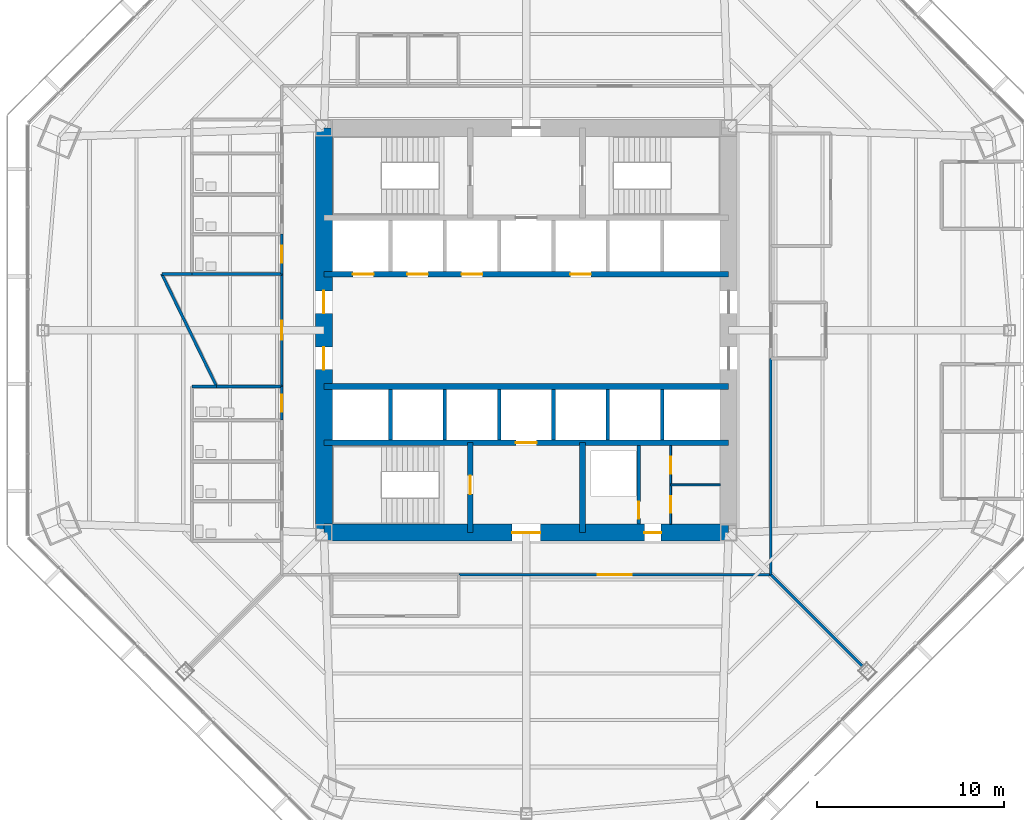
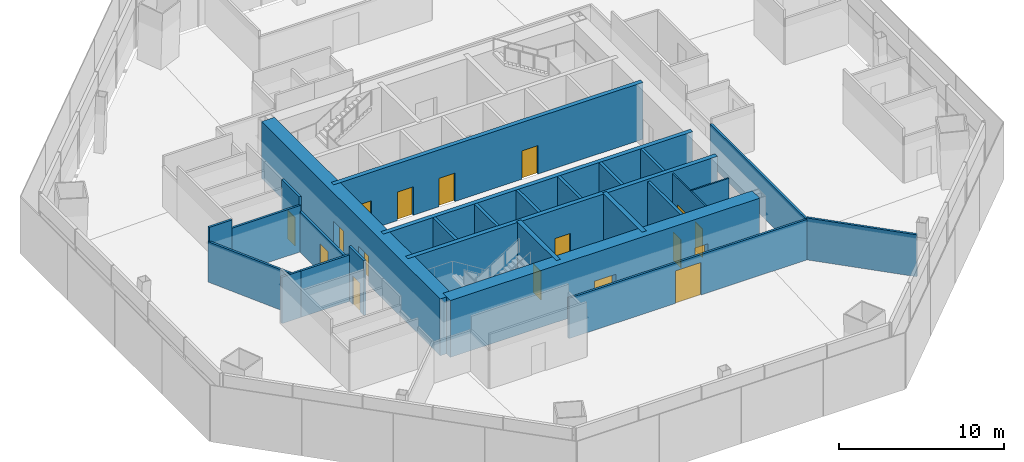
# One storey, part 8 of 13: 27 walls, 17 doors, 17 openings.
"""IFC4 building model written with IfcOpenShell, lengths in metres."""

from ifc_helpers import new_model, si_unit, direction, frame, frame_2d, origin, place, context, subcontext, project, spatial, rectangle, extrude, material, layer, layer_set, type_object, element, fill, save


model = new_model("IFC4")

# Units and contexts
model_context = context("Model", 3, precision=1e-05, world=origin(), true_north=direction((0.0, 1.0)))
body_context = subcontext(model_context, "Body", "Model", "MODEL_VIEW")
ifc_project = project(units=[si_unit("LENGTHUNIT", "METRE"), si_unit("AREAUNIT", "SQUARE_METRE"), si_unit("VOLUMEUNIT", "CUBIC_METRE"), si_unit("PLANEANGLEUNIT", "RADIAN"), si_unit("MASSUNIT", "GRAM", prefix="KILO")], contexts=[model_context])

# Site, building, storey
site_placement = place(None, origin())
site = spatial("IfcSite", under=ifc_project, at=site_placement, CompositionType="ELEMENT")
building_placement = place(site_placement, origin())
building = spatial("IfcBuilding", under=site, at=building_placement, Name="Mashrafa Tower", CompositionType="ELEMENT")
storey_placement = place(building_placement, frame((0.0, 0.0, 49.800048828125)))
storey = spatial("IfcBuildingStorey", under=building, at=storey_placement, Name="L10", CompositionType="ELEMENT", Elevation=49.800048828125)

# Wall, opening, door
ifc_material_1 = material(Name="Concrete masonry unit", Category="masonry")
ifc_layer_1 = layer(ifc_material_1, 0.199951171875)
ifc_layer_set_1 = layer_set([ifc_layer_1], Name="Blockwork wall 200 2 hr")
wall_type_1 = type_object("IfcWallType", Name="Blockwork wall 200 2 hr", PredefinedType="PARTITIONING", material=ifc_layer_set_1)
wall_1_placement = place(storey_placement, frame((6.0, -10.35009765625, 0.0), z_axis=(0.0, 0.0, 1.0), x_axis=(0.0, 1.0, 0.0)))
wall_1 = element("IfcWall", 1, at=wall_1_placement, inside=storey, type_object=wall_type_1, Name="Riser enclosure wall L10", PredefinedType="PARTITIONING", context=body_context, shape_type="SweptSolid", body=[
    extrude(rectangle(XDim=4.2001953125, YDim=0.199951171875, at=frame_2d((2.10009765625, 0.0))), origin(), (0.0, 0.0, 1.0), 4.034912109375),
])
opening_1_placement = place(wall_1_placement, frame((0.300048828125, 0.0, 0.0)))
opening_1 = element("IfcOpeningElement", 2, at=opening_1_placement, cuts=wall_1, Name="Opening 10.032", PredefinedType="OPENING", context=body_context, shape_type="SweptSolid", body=[
    extrude(rectangle(XDim=0.89990234375, YDim=2.10009765625, at=frame_2d((0.449951171875, 1.050048828125))), frame((0.0, 0.10986328125, 0.0), z_axis=(0.0, -1.0, 0.0), x_axis=(1.0, 0.0, 0.0)), (0.0, 0.0, 1.0), 0.219970703125),
])
ifc_material_2 = material(Name="Steel door", Category="steel")
door_type_1 = type_object("IfcDoorType", Name="Service door 900 x 2100 90 min", OperationType="USERDEFINED", PredefinedType="DOOR", material=ifc_material_2)
door_1_placement = place(opening_1_placement, origin())
door_1 = element("IfcDoor", 3, at=door_1_placement, inside=storey, type_object=door_type_1, Name="Riser door L10", OperationType="SINGLE_SWING_LEFT", OverallHeight=2.10009765625, OverallWidth=0.89990234375, PredefinedType="DOOR", context=body_context, shape_type="SweptSolid", body=[
    extrude(rectangle(XDim=0.89990234375, YDim=2.10009765625, at=frame_2d((0.449951171875, 1.050048828125))), frame((0.0, 0.02490234375, 0.0), z_axis=(0.0, -1.0, 0.0), x_axis=(1.0, 0.0, 0.0)), (0.0, 0.0, 1.0), 0.050048828125),
])
fill(opening_1, door_1)

# Wall, openings, doors
ifc_material_3 = material(Name="Concrete C60/75", Category="concrete")
ifc_layer_2 = layer(ifc_material_3, 0.300048828125)
ifc_layer_set_2 = layer_set([ifc_layer_2], Name="Core wall 300 C60/75")
wall_type_2 = type_object("IfcWallType", Name="Core wall 300 C60/75", PredefinedType="SOLIDWALL", material=ifc_layer_set_2)
wall_2_placement = place(storey_placement, frame((-10.800048828125, 3.0, 0.0), z_axis=(0.0, 0.0, 1.0), x_axis=(1.0, 0.0, 0.0)))
wall_2 = element("IfcWall", 4, at=wall_2_placement, inside=storey, type_object=wall_type_2, Name="Core wall CH-N L10", PredefinedType="SOLIDWALL", context=body_context, shape_type="SweptSolid", body=[
    extrude(rectangle(XDim=21.60009765625, YDim=0.300048828125, at=frame_2d((10.800048828125, 0.0))), origin(), (0.0, 0.0, 1.0), 4.199951171875),
])
opening_2_placement = place(wall_2_placement, frame((1.550048828125, 0.0, 0.0)))
opening_2 = element("IfcOpeningElement", 5, at=opening_2_placement, cuts=wall_2, Name="Opening 10.A1", PredefinedType="OPENING", context=body_context, shape_type="SweptSolid", body=[
    extrude(rectangle(XDim=1.10009765625, YDim=2.10009765625, at=frame_2d((0.550048828125, 1.050048828125))), frame((0.0, 0.159912109375, 0.0), z_axis=(0.0, -1.0, 0.0), x_axis=(1.0, 0.0, 0.0)), (0.0, 0.0, 1.0), 0.320068359375),
])
opening_3_placement = place(wall_2_placement, frame((4.449951171875, 0.0, 0.0)))
opening_3 = element("IfcOpeningElement", 6, at=opening_3_placement, cuts=wall_2, Name="Opening 10.A2", PredefinedType="OPENING", context=body_context, shape_type="SweptSolid", body=[
    extrude(rectangle(XDim=1.10009765625, YDim=2.10009765625, at=frame_2d((0.550048828125, 1.050048828125))), frame((0.0, 0.159912109375, 0.0), z_axis=(0.0, -1.0, 0.0), x_axis=(1.0, 0.0, 0.0)), (0.0, 0.0, 1.0), 0.320068359375),
])
opening_4_placement = place(wall_2_placement, frame((7.35009765625, 0.0, 0.0)))
opening_4 = element("IfcOpeningElement", 7, at=opening_4_placement, cuts=wall_2, Name="Opening 10.A3", PredefinedType="OPENING", context=body_context, shape_type="SweptSolid", body=[
    extrude(rectangle(XDim=1.10009765625, YDim=2.10009765625, at=frame_2d((0.550048828125, 1.050048828125))), frame((0.0, 0.159912109375, 0.0), z_axis=(0.0, -1.0, 0.0), x_axis=(1.0, 0.0, 0.0)), (0.0, 0.0, 1.0), 0.320068359375),
])
opening_5_placement = place(wall_2_placement, frame((13.14990234375, 0.0, 0.0)))
opening_5 = element("IfcOpeningElement", 8, at=opening_5_placement, cuts=wall_2, Name="Opening 10.A4", PredefinedType="OPENING", context=body_context, shape_type="SweptSolid", body=[
    extrude(rectangle(XDim=1.10009765625, YDim=2.10009765625, at=frame_2d((0.550048828125, 1.050048828125))), frame((0.0, 0.159912109375, 0.0), z_axis=(0.0, -1.0, 0.0), x_axis=(1.0, 0.0, 0.0)), (0.0, 0.0, 1.0), 0.320068359375),
])
ifc_material_4 = material(Name="Steel door", Category="steel")
door_type_2 = type_object("IfcDoorType", Name="Lift landing door 1100 x 2100 90 min", OperationType="DOUBLE_DOOR_SLIDING", PredefinedType="DOOR", material=ifc_material_4)
door_2_placement = place(opening_2_placement, origin())
door_2 = element("IfcDoor", 9, at=door_2_placement, inside=storey, type_object=door_type_2, Name="Lift landing door A1 L10", OperationType="DOUBLE_DOOR_SLIDING", OverallHeight=2.10009765625, OverallWidth=1.10009765625, PredefinedType="DOOR", context=body_context, shape_type="SweptSolid", body=[
    extrude(rectangle(XDim=1.10009765625, YDim=2.10009765625, at=frame_2d((0.550048828125, 1.050048828125))), frame((0.0, 0.02490234375, 0.0), z_axis=(0.0, -1.0, 0.0), x_axis=(1.0, 0.0, 0.0)), (0.0, 0.0, 1.0), 0.050048828125),
])
fill(opening_2, door_2)
door_3_placement = place(opening_3_placement, origin())
door_3 = element("IfcDoor", 10, at=door_3_placement, inside=storey, type_object=door_type_2, Name="Lift landing door A2 L10", OperationType="DOUBLE_DOOR_SLIDING", OverallHeight=2.10009765625, OverallWidth=1.10009765625, PredefinedType="DOOR", context=body_context, shape_type="SweptSolid", body=[
    extrude(rectangle(XDim=1.10009765625, YDim=2.10009765625, at=frame_2d((0.550048828125, 1.050048828125))), frame((0.0, 0.02490234375, 0.0), z_axis=(0.0, -1.0, 0.0), x_axis=(1.0, 0.0, 0.0)), (0.0, 0.0, 1.0), 0.050048828125),
])
fill(opening_3, door_3)
door_4_placement = place(opening_4_placement, origin())
door_4 = element("IfcDoor", 11, at=door_4_placement, inside=storey, type_object=door_type_2, Name="Lift landing door A3 L10", OperationType="DOUBLE_DOOR_SLIDING", OverallHeight=2.10009765625, OverallWidth=1.10009765625, PredefinedType="DOOR", context=body_context, shape_type="SweptSolid", body=[
    extrude(rectangle(XDim=1.10009765625, YDim=2.10009765625, at=frame_2d((0.550048828125, 1.050048828125))), frame((0.0, 0.02490234375, 0.0), z_axis=(0.0, -1.0, 0.0), x_axis=(1.0, 0.0, 0.0)), (0.0, 0.0, 1.0), 0.050048828125),
])
fill(opening_4, door_4)
door_5_placement = place(opening_5_placement, origin())
door_5 = element("IfcDoor", 12, at=door_5_placement, inside=storey, type_object=door_type_2, Name="Lift landing door A4 L10", OperationType="DOUBLE_DOOR_SLIDING", OverallHeight=2.10009765625, OverallWidth=1.10009765625, PredefinedType="DOOR", context=body_context, shape_type="SweptSolid", body=[
    extrude(rectangle(XDim=1.10009765625, YDim=2.10009765625, at=frame_2d((0.550048828125, 1.050048828125))), frame((0.0, 0.02490234375, 0.0), z_axis=(0.0, -1.0, 0.0), x_axis=(1.0, 0.0, 0.0)), (0.0, 0.0, 1.0), 0.050048828125),
])
fill(opening_5, door_5)

# Wall
wall_3_placement = place(storey_placement, frame((-10.800048828125, -3.0, 0.0), z_axis=(0.0, 0.0, 1.0), x_axis=(1.0, 0.0, 0.0)))
element("IfcWall", 13, at=wall_3_placement, inside=storey, type_object=wall_type_2, Name="Core wall CH-S L10", PredefinedType="SOLIDWALL", context=body_context, shape_type="SweptSolid", body=[
    extrude(rectangle(XDim=21.60009765625, YDim=0.300048828125, at=frame_2d((10.800048828125, 0.0))), origin(), (0.0, 0.0, 1.0), 4.199951171875),
])

# Wall, opening, door
wall_4_placement = place(storey_placement, frame((-10.800048828125, -6.0, 0.0), z_axis=(0.0, 0.0, 1.0), x_axis=(1.0, 0.0, 0.0)))
wall_4 = element("IfcWall", 14, at=wall_4_placement, inside=storey, type_object=wall_type_2, Name="Core wall CB-S L10", PredefinedType="SOLIDWALL", context=body_context, shape_type="SweptSolid", body=[
    extrude(rectangle(XDim=21.60009765625, YDim=0.300048828125, at=frame_2d((10.800048828125, 0.0))), origin(), (0.0, 0.0, 1.0), 4.199951171875),
])
opening_6_placement = place(wall_4_placement, frame((10.25, 0.0, 0.0)))
opening_6 = element("IfcOpeningElement", 15, at=opening_6_placement, cuts=wall_4, Name="Opening 10.F2", PredefinedType="OPENING", context=body_context, shape_type="SweptSolid", body=[
    extrude(rectangle(XDim=1.10009765625, YDim=2.10009765625, at=frame_2d((0.550048828125, 1.050048828125))), frame((0.0, 0.159912109375, 0.0), z_axis=(0.0, -1.0, 0.0), x_axis=(1.0, 0.0, 0.0)), (0.0, 0.0, 1.0), 0.320068359375),
])
door_6_placement = place(opening_6_placement, origin())
door_6 = element("IfcDoor", 16, at=door_6_placement, inside=storey, type_object=door_type_2, Name="Lift landing door F2 L10", OperationType="DOUBLE_DOOR_SLIDING", OverallHeight=2.10009765625, OverallWidth=1.10009765625, PredefinedType="DOOR", context=body_context, shape_type="SweptSolid", body=[
    extrude(rectangle(XDim=1.10009765625, YDim=2.10009765625, at=frame_2d((0.550048828125, 1.050048828125))), frame((0.0, 0.02490234375, 0.0), z_axis=(0.0, -1.0, 0.0), x_axis=(1.0, 0.0, 0.0)), (0.0, 0.0, 1.0), 0.050048828125),
])
fill(opening_6, door_6)

wall_5_placement = place(storey_placement, frame((-3.0, -6.0, 0.0), z_axis=(0.0, 0.0, 1.0), x_axis=(0.0, -1.0, 0.0)))
wall_5 = element("IfcWall", 17, at=wall_5_placement, inside=storey, type_object=wall_type_2, Name="Core wall CX-SW L10", PredefinedType="SOLIDWALL", context=body_context, shape_type="SweptSolid", body=[
    extrude(rectangle(XDim=4.800048828125, YDim=0.300048828125, at=frame_2d((2.39990234375, 0.0))), origin(), (0.0, 0.0, 1.0), 4.199951171875),
])
opening_7_placement = place(wall_5_placement, frame((1.75, 0.0, 0.0)))
opening_7 = element("IfcOpeningElement", 18, at=opening_7_placement, cuts=wall_5, Name="Opening 10.030", PredefinedType="OPENING", context=body_context, shape_type="SweptSolid", body=[
    extrude(rectangle(XDim=1.0, YDim=2.10009765625, at=frame_2d((0.5, 1.050048828125))), frame((0.0, 0.159912109375, 0.0), z_axis=(0.0, -1.0, 0.0), x_axis=(1.0, 0.0, 0.0)), (0.0, 0.0, 1.0), 0.320068359375),
])
ifc_material_5 = material(Name="Steel door", Category="steel")
door_type_3 = type_object("IfcDoorType", Name="Stair door 1000 x 2100 90 min", OperationType="USERDEFINED", PredefinedType="DOOR", material=ifc_material_5)
door_7_placement = place(opening_7_placement, frame((1.0, 0.0, 0.0), z_axis=(0.0, 0.0, 1.0), x_axis=(-1.0, 0.0, 0.0)))
door_7 = element("IfcDoor", 19, at=door_7_placement, inside=storey, type_object=door_type_3, Name="Stair S3 door L10", OperationType="SINGLE_SWING_RIGHT", OverallHeight=2.10009765625, OverallWidth=1.0, PredefinedType="DOOR", context=body_context, shape_type="SweptSolid", body=[
    extrude(rectangle(XDim=1.0, YDim=2.10009765625, at=frame_2d((0.5, 1.050048828125))), frame((0.0, 0.02490234375, 0.0), z_axis=(0.0, -1.0, 0.0), x_axis=(1.0, 0.0, 0.0)), (0.0, 0.0, 1.0), 0.050048828125),
])
fill(opening_7, door_7)

# Wall
wall_6_placement = place(storey_placement, frame((3.0, -6.0, 0.0), z_axis=(0.0, 0.0, 1.0), x_axis=(0.0, -1.0, 0.0)))
element("IfcWall", 20, at=wall_6_placement, inside=storey, type_object=wall_type_2, Name="Core wall CX-SE L10", PredefinedType="SOLIDWALL", context=body_context, shape_type="SweptSolid", body=[
    extrude(rectangle(XDim=4.800048828125, YDim=0.300048828125, at=frame_2d((2.39990234375, 0.0))), origin(), (0.0, 0.0, 1.0), 4.199951171875),
])

# Wall, openings, doors
ifc_material_6 = material(Name="Concrete C60/75", Category="concrete")
ifc_layer_3 = layer(ifc_material_6, 0.89990234375)
ifc_layer_set_3 = layer_set([ifc_layer_3], Name="Core wall 900 C60/75")
wall_type_3 = type_object("IfcWallType", Name="Core wall 900 C60/75", PredefinedType="SOLIDWALL", material=ifc_layer_set_3)
wall_7_placement = place(storey_placement, frame((-10.800048828125, -10.800048828125, 0.0), z_axis=(0.0, 0.0, 1.0), x_axis=(1.0, 0.0, 0.0)))
wall_7 = element("IfcWall", 21, at=wall_7_placement, inside=storey, type_object=wall_type_3, Name="Core wall CW-S L10", PredefinedType="SOLIDWALL", context=body_context, shape_type="SweptSolid", body=[
    extrude(rectangle(XDim=21.60009765625, YDim=0.89990234375, at=frame_2d((10.800048828125, 0.0))), origin(), (0.0, 0.0, 1.0), 4.199951171875),
])
opening_8_placement = place(wall_7_placement, frame((10.050048828125, 0.0, 0.0)))
opening_8 = element("IfcOpeningElement", 22, at=opening_8_placement, cuts=wall_7, Name="Opening 10.027", PredefinedType="OPENING", context=body_context, shape_type="SweptSolid", body=[
    extrude(rectangle(XDim=1.5, YDim=2.10009765625, at=frame_2d((0.75, 1.050048828125))), frame((0.0, 0.4599609375, 0.0), z_axis=(0.0, -1.0, 0.0), x_axis=(1.0, 0.0, 0.0)), (0.0, 0.0, 1.0), 0.919921875),
])
opening_9_placement = place(wall_7_placement, frame((17.10009765625, 0.0, 0.0)))
opening_9 = element("IfcOpeningElement", 23, at=opening_9_placement, cuts=wall_7, Name="Opening 10.031", PredefinedType="OPENING", context=body_context, shape_type="SweptSolid", body=[
    extrude(rectangle(XDim=0.89990234375, YDim=2.10009765625, at=frame_2d((0.449951171875, 1.050048828125))), frame((0.0, 0.4599609375, 0.0), z_axis=(0.0, -1.0, 0.0), x_axis=(1.0, 0.0, 0.0)), (0.0, 0.0, 1.0), 0.919921875),
])
ifc_material_7 = material(Name="Steel door", Category="steel")
door_type_4 = type_object("IfcDoorType", Name="Lobby door pair 1500 x 2100 90 min", OperationType="DOUBLE_DOOR_SINGLE_SWING", PredefinedType="DOOR", material=ifc_material_7)
door_8_placement = place(opening_8_placement, origin())
door_8 = element("IfcDoor", 24, at=door_8_placement, inside=storey, type_object=door_type_4, Name="Fire-fighting lobby F2 door L10", OperationType="DOUBLE_DOOR_SINGLE_SWING", OverallHeight=2.10009765625, OverallWidth=1.5, PredefinedType="DOOR", context=body_context, shape_type="SweptSolid", body=[
    extrude(rectangle(XDim=1.5, YDim=2.10009765625, at=frame_2d((0.75, 1.050048828125))), frame((0.0, 0.02490234375, 0.0), z_axis=(0.0, -1.0, 0.0), x_axis=(1.0, 0.0, 0.0)), (0.0, 0.0, 1.0), 0.050048828125),
])
fill(opening_8, door_8)
door_9_placement = place(opening_9_placement, frame((0.89990234375, 0.0, 0.0), z_axis=(0.0, 0.0, 1.0), x_axis=(-1.0, 0.0, 0.0)))
door_9 = element("IfcDoor", 25, at=door_9_placement, inside=storey, type_object=door_type_1, Name="Services Lobby L10 door", OperationType="SINGLE_SWING_LEFT", OverallHeight=2.10009765625, OverallWidth=0.89990234375, PredefinedType="DOOR", context=body_context, shape_type="SweptSolid", body=[
    extrude(rectangle(XDim=0.89990234375, YDim=2.10009765625, at=frame_2d((0.449951171875, 1.050048828125))), frame((0.0, 0.02490234375, 0.0), z_axis=(0.0, -1.0, 0.0), x_axis=(1.0, 0.0, 0.0)), (0.0, 0.0, 1.0), 0.050048828125),
])
fill(opening_9, door_9)

wall_8_placement = place(storey_placement, frame((-10.800048828125, 10.800048828125, 0.0), z_axis=(0.0, 0.0, 1.0), x_axis=(0.0, -1.0, 0.0)))
wall_8 = element("IfcWall", 26, at=wall_8_placement, inside=storey, type_object=wall_type_3, Name="Core wall CW-W L10", PredefinedType="SOLIDWALL", context=body_context, shape_type="SweptSolid", body=[
    extrude(rectangle(XDim=21.60009765625, YDim=0.89990234375, at=frame_2d((10.800048828125, 0.0))), origin(), (0.0, 0.0, 1.0), 4.199951171875),
])
opening_10_placement = place(wall_8_placement, frame((8.699951171875, 0.0, 0.0)))
opening_10 = element("IfcOpeningElement", 27, at=opening_10_placement, cuts=wall_8, Name="Opening 10.023", PredefinedType="OPENING", context=body_context, shape_type="SweptSolid", body=[
    extrude(rectangle(XDim=1.199951171875, YDim=2.10009765625, at=frame_2d((0.60009765625, 1.050048828125))), frame((0.0, 0.4599609375, 0.0), z_axis=(0.0, -1.0, 0.0), x_axis=(1.0, 0.0, 0.0)), (0.0, 0.0, 1.0), 0.919921875),
])
opening_11_placement = place(wall_8_placement, frame((11.699951171875, 0.0, 0.0)))
opening_11 = element("IfcOpeningElement", 28, at=opening_11_placement, cuts=wall_8, Name="Opening 10.025", PredefinedType="OPENING", context=body_context, shape_type="SweptSolid", body=[
    extrude(rectangle(XDim=1.199951171875, YDim=2.10009765625, at=frame_2d((0.60009765625, 1.050048828125))), frame((0.0, 0.4599609375, 0.0), z_axis=(0.0, -1.0, 0.0), x_axis=(1.0, 0.0, 0.0)), (0.0, 0.0, 1.0), 0.919921875),
])
ifc_material_8 = material(Name="Steel door", Category="steel")
door_type_5 = type_object("IfcDoorType", Name="Lift hall door 1200 x 2100 90 min", OperationType="USERDEFINED", PredefinedType="DOOR", material=ifc_material_8)
door_10_placement = place(opening_10_placement, frame((1.199951171875, 0.0, 0.0), z_axis=(0.0, 0.0, 1.0), x_axis=(-1.0, 0.0, 0.0)))
door_10 = element("IfcDoor", 29, at=door_10_placement, inside=storey, type_object=door_type_5, Name="Lift hall door west L10", OperationType="SINGLE_SWING_RIGHT", OverallHeight=2.10009765625, OverallWidth=1.199951171875, PredefinedType="DOOR", context=body_context, shape_type="SweptSolid", body=[
    extrude(rectangle(XDim=1.199951171875, YDim=2.10009765625, at=frame_2d((0.60009765625, 1.050048828125))), frame((0.0, 0.02490234375, 0.0), z_axis=(0.0, -1.0, 0.0), x_axis=(1.0, 0.0, 0.0)), (0.0, 0.0, 1.0), 0.050048828125),
])
fill(opening_10, door_10)
door_11_placement = place(opening_11_placement, frame((1.199951171875, 0.0, 0.0), z_axis=(0.0, 0.0, 1.0), x_axis=(-1.0, 0.0, 0.0)))
door_11 = element("IfcDoor", 30, at=door_11_placement, inside=storey, type_object=door_type_5, Name="Lift hall door west L10", OperationType="SINGLE_SWING_LEFT", OverallHeight=2.10009765625, OverallWidth=1.199951171875, PredefinedType="DOOR", context=body_context, shape_type="SweptSolid", body=[
    extrude(rectangle(XDim=1.199951171875, YDim=2.10009765625, at=frame_2d((0.60009765625, 1.050048828125))), frame((0.0, 0.02490234375, 0.0), z_axis=(0.0, -1.0, 0.0), x_axis=(1.0, 0.0, 0.0)), (0.0, 0.0, 1.0), 0.050048828125),
])
fill(opening_11, door_11)

# Wall, opening, door
ifc_material_9 = material(Name="Gypsum board on steel studs", Category="steel")
ifc_layer_4 = layer(ifc_material_9, 0.14990234375)
ifc_layer_set_4 = layer_set([ifc_layer_4], Name="Corridor partition 150 1 hr")
wall_type_4 = type_object("IfcWallType", Name="Corridor partition 150 1 hr", PredefinedType="PARTITIONING", material=ifc_layer_set_4)
wall_9_placement = place(storey_placement, frame((-13.050048828125, 5.1259765625, 0.0), z_axis=(0.0, 0.0, 1.0), x_axis=(0.0, -1.0, 0.0)))
wall_9 = element("IfcWall", 31, at=wall_9_placement, inside=storey, type_object=wall_type_4, Name="Corridor wall L10-001", PredefinedType="PARTITIONING", context=body_context, shape_type="SweptSolid", body=[
    extrude(rectangle(XDim=2.126953125, YDim=0.14990234375, at=frame_2d((1.0634765625, 0.0))), origin(), (0.0, 0.0, 1.0), 4.034912109375),
])
opening_12_placement = place(wall_9_placement, frame((0.613525390625, 0.0, 0.0)))
opening_12 = element("IfcOpeningElement", 32, at=opening_12_placement, cuts=wall_9, Name="Opening 10.001", PredefinedType="OPENING", context=body_context, shape_type="SweptSolid", body=[
    extrude(rectangle(XDim=0.89990234375, YDim=2.10009765625, at=frame_2d((0.449951171875, 1.050048828125))), frame((0.0, 0.0849609375, 0.0), z_axis=(0.0, -1.0, 0.0), x_axis=(1.0, 0.0, 0.0)), (0.0, 0.0, 1.0), 0.169921875),
])
ifc_material_10 = material(Name="Timber door", Category="wood")
door_type_6 = type_object("IfcDoorType", Name="Toilet door 900 x 2100", OperationType="USERDEFINED", PredefinedType="DOOR", material=ifc_material_10)
door_12_placement = place(opening_12_placement, frame((0.89990234375, 0.0, 0.0), z_axis=(0.0, 0.0, 1.0), x_axis=(-1.0, 0.0, 0.0)))
door_12 = element("IfcDoor", 33, at=door_12_placement, inside=storey, type_object=door_type_6, Name="WC Female L10 N door", OperationType="SINGLE_SWING_RIGHT", OverallHeight=2.10009765625, OverallWidth=0.89990234375, PredefinedType="DOOR", context=body_context, shape_type="SweptSolid", body=[
    extrude(rectangle(XDim=0.89990234375, YDim=2.10009765625, at=frame_2d((0.449951171875, 1.050048828125))), frame((0.0, 0.02490234375, 0.0), z_axis=(0.0, -1.0, 0.0), x_axis=(1.0, 0.0, 0.0)), (0.0, 0.0, 1.0), 0.050048828125),
])
fill(opening_12, door_12)

wall_10_placement = place(storey_placement, frame((-13.050048828125, -2.9990234375, 0.0), z_axis=(0.0, 0.0, 1.0), x_axis=(0.0, -1.0, 0.0)))
wall_10 = element("IfcWall", 34, at=wall_10_placement, inside=storey, type_object=wall_type_4, Name="Corridor wall L10-008", PredefinedType="PARTITIONING", context=body_context, shape_type="SweptSolid", body=[
    extrude(rectangle(XDim=1.802001953125, YDim=0.14990234375, at=frame_2d((0.90087890625, 0.0))), origin(), (0.0, 0.0, 1.0), 4.034912109375),
])
opening_13_placement = place(wall_10_placement, frame((0.450927734375, 0.0, 0.0)))
opening_13 = element("IfcOpeningElement", 35, at=opening_13_placement, cuts=wall_10, Name="Opening 10.008", PredefinedType="OPENING", context=body_context, shape_type="SweptSolid", body=[
    extrude(rectangle(XDim=0.89990234375, YDim=2.10009765625, at=frame_2d((0.449951171875, 1.050048828125))), frame((0.0, 0.0849609375, 0.0), z_axis=(0.0, -1.0, 0.0), x_axis=(1.0, 0.0, 0.0)), (0.0, 0.0, 1.0), 0.169921875),
])
door_13_placement = place(opening_13_placement, frame((0.89990234375, 0.0, 0.0), z_axis=(0.0, 0.0, 1.0), x_axis=(-1.0, 0.0, 0.0)))
door_13 = element("IfcDoor", 36, at=door_13_placement, inside=storey, type_object=door_type_6, Name="Ablution Room L10 S door", OperationType="SINGLE_SWING_RIGHT", OverallHeight=2.10009765625, OverallWidth=0.89990234375, PredefinedType="DOOR", context=body_context, shape_type="SweptSolid", body=[
    extrude(rectangle(XDim=0.89990234375, YDim=2.10009765625, at=frame_2d((0.449951171875, 1.050048828125))), frame((0.0, 0.02490234375, 0.0), z_axis=(0.0, -1.0, 0.0), x_axis=(1.0, 0.0, 0.0)), (0.0, 0.0, 1.0), 0.050048828125),
])
fill(opening_13, door_13)

wall_11_placement = place(storey_placement, frame((-13.050048828125, 3.0009765625, 0.0), z_axis=(0.0, 0.0, 1.0), x_axis=(0.0, -1.0, 0.0)))
wall_11 = element("IfcWall", 37, at=wall_11_placement, inside=storey, type_object=wall_type_4, Name="Corridor wall L10-009", PredefinedType="PARTITIONING", context=body_context, shape_type="SweptSolid", body=[
    extrude(rectangle(XDim=6.001953125, YDim=0.14990234375, at=frame_2d((3.0009765625, 0.0))), origin(), (0.0, 0.0, 1.0), 2.983642578125),
])
opening_14_placement = place(wall_11_placement, frame((2.5009765625, 0.0, 0.0)))
opening_14 = element("IfcOpeningElement", 38, at=opening_14_placement, cuts=wall_11, Name="Opening 10.009", PredefinedType="OPENING", context=body_context, shape_type="SweptSolid", body=[
    extrude(rectangle(XDim=1.0, YDim=2.10009765625, at=frame_2d((0.5, 1.050048828125))), frame((0.0, 0.0849609375, 0.0), z_axis=(0.0, -1.0, 0.0), x_axis=(1.0, 0.0, 0.0)), (0.0, 0.0, 1.0), 0.169921875),
])
ifc_material_11 = material(Name="Timber door", Category="wood")
door_type_7 = type_object("IfcDoorType", Name="Door 1000 x 2100", OperationType="USERDEFINED", PredefinedType="DOOR", material=ifc_material_11)
door_14_placement = place(opening_14_placement, frame((1.0, 0.0, 0.0), z_axis=(0.0, 0.0, 1.0), x_axis=(-1.0, 0.0, 0.0)))
door_14 = element("IfcDoor", 39, at=door_14_placement, inside=storey, type_object=door_type_7, Name="Musallah Prayer Room 10 door", OperationType="SINGLE_SWING_LEFT", OverallHeight=2.10009765625, OverallWidth=1.0, PredefinedType="DOOR", context=body_context, shape_type="SweptSolid", body=[
    extrude(rectangle(XDim=1.0, YDim=2.10009765625, at=frame_2d((0.5, 1.050048828125))), frame((0.0, 0.02490234375, 0.0), z_axis=(0.0, -1.0, 0.0), x_axis=(1.0, 0.0, 0.0)), (0.0, 0.0, 1.0), 0.050048828125),
])
fill(opening_14, door_14)

# Wall
wall_12_placement = place(storey_placement, frame((13.050048828125, -13.050048828125, 0.0), z_axis=(0.0, 0.0, 1.0), x_axis=(0.0, 1.0, 0.0)))
element("IfcWall", 40, at=wall_12_placement, inside=storey, type_object=wall_type_4, Name="Corridor wall L10-020", PredefinedType="PARTITIONING", context=body_context, shape_type="SweptSolid", body=[
    extrude(rectangle(XDim=11.551025390625, YDim=0.14990234375, at=frame_2d((5.775390625, 0.0))), origin(), (0.0, 0.0, 1.0), 3.01416015625),
])

# Wall, opening, door
wall_13_placement = place(storey_placement, frame((-3.60107421875, -13.050048828125, 0.0), z_axis=(0.0, 0.0, 1.0), x_axis=(1.0, 0.0, 0.0)))
wall_13 = element("IfcWall", 41, at=wall_13_placement, inside=storey, type_object=wall_type_4, Name="Corridor wall L10-023", PredefinedType="PARTITIONING", context=body_context, shape_type="SweptSolid", body=[
    extrude(rectangle(XDim=16.651123046875, YDim=0.14990234375, at=frame_2d((8.32568359375, 0.0))), origin(), (0.0, 0.0, 1.0), 2.983642578125),
])
opening_15_placement = place(wall_13_placement, frame((7.425537109375, 0.0, 0.0)))
opening_15 = element("IfcOpeningElement", 42, at=opening_15_placement, cuts=wall_13, Name="Opening 10.021", PredefinedType="OPENING", context=body_context, shape_type="SweptSolid", body=[
    extrude(rectangle(XDim=1.800048828125, YDim=2.39990234375, at=frame_2d((0.89990234375, 1.199951171875))), frame((0.0, 0.0849609375, 0.0), z_axis=(0.0, -1.0, 0.0), x_axis=(1.0, 0.0, 0.0)), (0.0, 0.0, 1.0), 0.169921875),
])
ifc_material_12 = material(Name="Timber door", Category="wood")
door_type_8 = type_object("IfcDoorType", Name="Door pair 1800 x 2400", OperationType="DOUBLE_DOOR_SINGLE_SWING", PredefinedType="DOOR", material=ifc_material_12)
door_15_placement = place(opening_15_placement, frame((1.800048828125, 0.0, 0.0), z_axis=(0.0, 0.0, 1.0), x_axis=(-1.0, 0.0, 0.0)))
door_15 = element("IfcDoor", 43, at=door_15_placement, inside=storey, type_object=door_type_8, Name="Research and Sales Office 10 door", OperationType="DOUBLE_DOOR_SINGLE_SWING", OverallHeight=2.39990234375, OverallWidth=1.800048828125, PredefinedType="DOOR", context=body_context, shape_type="SweptSolid", body=[
    extrude(rectangle(XDim=1.800048828125, YDim=2.39990234375, at=frame_2d((0.89990234375, 1.199951171875))), frame((0.0, 0.02490234375, 0.0), z_axis=(0.0, -1.0, 0.0), x_axis=(1.0, 0.0, 0.0)), (0.0, 0.0, 1.0), 0.050048828125),
])
fill(opening_15, door_15)

# Wall, openings, doors
ifc_material_13 = material(Name="Gypsum board on steel studs", Category="steel")
ifc_layer_5 = layer(ifc_material_13, 0.10009765625)
ifc_layer_set_5 = layer_set([ifc_layer_5], Name="Partition 100 1 hr")
wall_type_5 = type_object("IfcWallType", Name="Partition 100 1 hr", PredefinedType="PARTITIONING", material=ifc_layer_set_5)
wall_14_placement = place(storey_placement, frame((7.699951171875, -10.35009765625, 0.0), z_axis=(0.0, 0.0, 1.0), x_axis=(0.0, 1.0, 0.0)))
wall_14 = element("IfcWall", 44, at=wall_14_placement, inside=storey, type_object=wall_type_5, Name="Services lobby partition A L10", PredefinedType="PARTITIONING", context=body_context, shape_type="SweptSolid", body=[
    extrude(rectangle(XDim=4.2001953125, YDim=0.10009765625, at=frame_2d((2.10009765625, 0.0))), origin(), (0.0, 0.0, 1.0), 4.034912109375),
])
opening_16_placement = place(wall_14_placement, frame((2.699951171875, 0.0, 0.0)))
opening_16 = element("IfcOpeningElement", 45, at=opening_16_placement, cuts=wall_14, Name="Opening 10.033", PredefinedType="OPENING", context=body_context, shape_type="SweptSolid", body=[
    extrude(rectangle(XDim=0.89990234375, YDim=2.10009765625, at=frame_2d((0.449951171875, 1.050048828125))), frame((0.0, 0.06005859375, 0.0), z_axis=(0.0, -1.0, 0.0), x_axis=(1.0, 0.0, 0.0)), (0.0, 0.0, 1.0), 0.1201171875),
])
opening_17_placement = place(wall_14_placement, frame((0.60009765625, 0.0, 0.0)))
opening_17 = element("IfcOpeningElement", 46, at=opening_17_placement, cuts=wall_14, Name="Opening 10.034", PredefinedType="OPENING", context=body_context, shape_type="SweptSolid", body=[
    extrude(rectangle(XDim=0.89990234375, YDim=2.10009765625, at=frame_2d((0.449951171875, 1.050048828125))), frame((0.0, 0.06005859375, 0.0), z_axis=(0.0, -1.0, 0.0), x_axis=(1.0, 0.0, 0.0)), (0.0, 0.0, 1.0), 0.1201171875),
])
ifc_material_14 = material(Name="Timber door", Category="wood")
door_type_9 = type_object("IfcDoorType", Name="Store door 900 x 2100", OperationType="USERDEFINED", PredefinedType="DOOR", material=ifc_material_14)
door_16_placement = place(opening_16_placement, frame((0.89990234375, 0.0, 0.0), z_axis=(0.0, 0.0, 1.0), x_axis=(-1.0, 0.0, 0.0)))
door_16 = element("IfcDoor", 47, at=door_16_placement, inside=storey, type_object=door_type_9, Name="Communications Room L10 door", OperationType="SINGLE_SWING_RIGHT", OverallHeight=2.10009765625, OverallWidth=0.89990234375, PredefinedType="DOOR", context=body_context, shape_type="SweptSolid", body=[
    extrude(rectangle(XDim=0.89990234375, YDim=2.10009765625, at=frame_2d((0.449951171875, 1.050048828125))), frame((0.0, 0.02490234375, 0.0), z_axis=(0.0, -1.0, 0.0), x_axis=(1.0, 0.0, 0.0)), (0.0, 0.0, 1.0), 0.050048828125),
])
fill(opening_16, door_16)
door_17_placement = place(opening_17_placement, frame((0.89990234375, 0.0, 0.0), z_axis=(0.0, 0.0, 1.0), x_axis=(-1.0, 0.0, 0.0)))
door_17 = element("IfcDoor", 48, at=door_17_placement, inside=storey, type_object=door_type_9, Name="Cleaner's Store L10 door", OperationType="SINGLE_SWING_LEFT", OverallHeight=2.10009765625, OverallWidth=0.89990234375, PredefinedType="DOOR", context=body_context, shape_type="SweptSolid", body=[
    extrude(rectangle(XDim=0.89990234375, YDim=2.10009765625, at=frame_2d((0.449951171875, 1.050048828125))), frame((0.0, 0.02490234375, 0.0), z_axis=(0.0, -1.0, 0.0), x_axis=(1.0, 0.0, 0.0)), (0.0, 0.0, 1.0), 0.050048828125),
])
fill(opening_17, door_17)

# Walls
wall_15_placement = place(storey_placement, frame((7.699951171875, -8.25, 0.0), z_axis=(0.0, 0.0, 1.0), x_axis=(1.0, 0.0, 0.0)))
element("IfcWall", 49, at=wall_15_placement, inside=storey, type_object=wall_type_5, Name="Services lobby partition B L10", PredefinedType="PARTITIONING", context=body_context, shape_type="SweptSolid", body=[
    extrude(rectangle(XDim=2.650146484375, YDim=0.10009765625, at=frame_2d((1.3251953125, 0.0))), origin(), (0.0, 0.0, 1.0), 4.034912109375),
])
ifc_material_15 = material(Name="Gypsum board on steel studs", Category="steel")
ifc_layer_6 = layer(ifc_material_15, 0.14990234375)
ifc_layer_set_6 = layer_set([ifc_layer_6], Name="Partition 150")
wall_type_6 = type_object("IfcWallType", Name="Partition 150", PredefinedType="PARTITIONING", material=ifc_layer_set_6)
wall_16_placement = place(storey_placement, frame((-17.85009765625, 3.0, 0.0), z_axis=(0.0, 0.0, 1.0), x_axis=(1.0, 0.0, 0.0)))
element("IfcWall", 50, at=wall_16_placement, inside=storey, type_object=wall_type_6, Name="Partition wall L10-025", PredefinedType="PARTITIONING", context=body_context, shape_type="SweptSolid", body=[
    extrude(rectangle(XDim=4.800048828125, YDim=0.14990234375, at=frame_2d((2.39990234375, 0.0))), origin(), (0.0, 0.0, 1.0), 3.4228515625),
])
wall_17_placement = place(storey_placement, frame((-13.050048828125, -3.0, 0.0), z_axis=(0.0, 0.0, 1.0), x_axis=(-1.0, 0.0, 0.0)))
element("IfcWall", 51, at=wall_17_placement, inside=storey, type_object=wall_type_6, Name="Partition wall L10-040", PredefinedType="PARTITIONING", context=body_context, shape_type="SweptSolid", body=[
    extrude(rectangle(XDim=3.474609375, YDim=0.14990234375, at=frame_2d((1.7373046875, 0.0))), origin(), (0.0, 0.0, 1.0), 3.4228515625),
])
wall_18_placement = place(storey_placement, frame((-16.5224609375, -3.0, 0.0), z_axis=(0.0, 0.0, 1.0), x_axis=(-1.0, 0.0, 0.0)))
element("IfcWall", 52, at=wall_18_placement, inside=storey, type_object=wall_type_6, Name="Partition wall L10-041", PredefinedType="PARTITIONING", context=body_context, shape_type="SweptSolid", body=[
    extrude(rectangle(XDim=1.32763671875, YDim=0.14990234375, at=frame_2d((0.663818359375, 0.0))), origin(), (0.0, 0.0, 1.0), 3.425537109375),
])
wall_19_placement = place(storey_placement, frame((-17.84912109375, 3.0, 0.0), z_axis=(0.0, 0.0, 1.0), x_axis=(-1.0, 0.0, 0.0)))
element("IfcWall", 53, at=wall_19_placement, inside=storey, type_object=wall_type_6, Name="Partition wall L10-043", PredefinedType="PARTITIONING", context=body_context, shape_type="SweptSolid", body=[
    extrude(rectangle(XDim=1.600830078125, YDim=0.14990234375, at=frame_2d((0.80029296875, 0.0))), origin(), (0.0, 0.0, 1.0), 4.034912109375),
])
wall_20_placement = place(storey_placement, frame((-19.449951171875, 3.0, 0.0), z_axis=(0.0, 0.0, 1.0), x_axis=(0.43835589904, -0.898801482963, 0.0)))
element("IfcWall", 54, at=wall_20_placement, inside=storey, type_object=wall_type_6, Name="Partition wall L10-044", PredefinedType="PARTITIONING", context=body_context, shape_type="SweptSolid", body=[
    extrude(rectangle(XDim=6.675537109375, YDim=0.14990234375, at=frame_2d((3.337890625, 0.0))), origin(), (0.0, 0.0, 1.0), 2.983642578125),
])
wall_21_placement = place(storey_placement, frame((13.050048828125, -13.050048828125, 0.0), z_axis=(0.0, 0.0, 1.0), x_axis=(0.707106781187, -0.707106781187, 0.0)))
element("IfcWall", 55, at=wall_21_placement, inside=storey, type_object=wall_type_6, Name="Partition wall L10-071", PredefinedType="PARTITIONING", context=body_context, shape_type="SweptSolid", body=[
    extrude(rectangle(XDim=6.91259765625, YDim=0.14990234375, at=frame_2d((3.456298828125, 0.0))), origin(), (0.0, 0.0, 1.0), 3.097900390625),
])
ifc_material_16 = material(Name="Gypsum shaft wall on steel studs", Category="steel")
ifc_layer_7 = layer(ifc_material_16, 0.199951171875)
ifc_layer_set_7 = layer_set([ifc_layer_7], Name="Shaft divider wall 200 2 hr")
wall_type_7 = type_object("IfcWallType", Name="Shaft divider wall 200 2 hr", PredefinedType="PARTITIONING", material=ifc_layer_set_7)
for number, where, z_axis, x_axis, name in (
    (56, (-7.25, -5.85009765625, 0.0), (0.0, 0.0, 1.0), (0.0, 1.0, 0.0), "Shaft divider wall S1 L10"),
    (57, (-4.35009765625, -5.85009765625, 0.0), (0.0, 0.0, 1.0), (0.0, 1.0, 0.0), "Shaft divider wall S2 L10"),
    (58, (-1.449951171875, -5.85009765625, 0.0), (0.0, 0.0, 1.0), (0.0, 1.0, 0.0), "Shaft divider wall S3 L10"),
    (59, (1.449951171875, -5.85009765625, 0.0), (0.0, 0.0, 1.0), (0.0, 1.0, 0.0), "Shaft divider wall S4 L10"),
    (60, (4.35009765625, -5.85009765625, 0.0), (0.0, 0.0, 1.0), (0.0, 1.0, 0.0), "Shaft divider wall S5 L10"),
    (61, (7.25, -5.85009765625, 0.0), (0.0, 0.0, 1.0), (0.0, 1.0, 0.0), "Shaft divider wall S6 L10"),
):
    element("IfcWall", number, at=place(storey_placement, frame(where, z_axis=z_axis, x_axis=x_axis)), inside=storey, type_object=wall_type_7, Name=name, PredefinedType="PARTITIONING", context=body_context, shape_type="SweptSolid", body=[
        extrude(rectangle(XDim=2.7001953125, YDim=0.199951171875, at=frame_2d((1.35009765625, 0.0))), origin(), (0.0, 0.0, 1.0), 4.199951171875),
    ])

save(model, "model.ifc")
